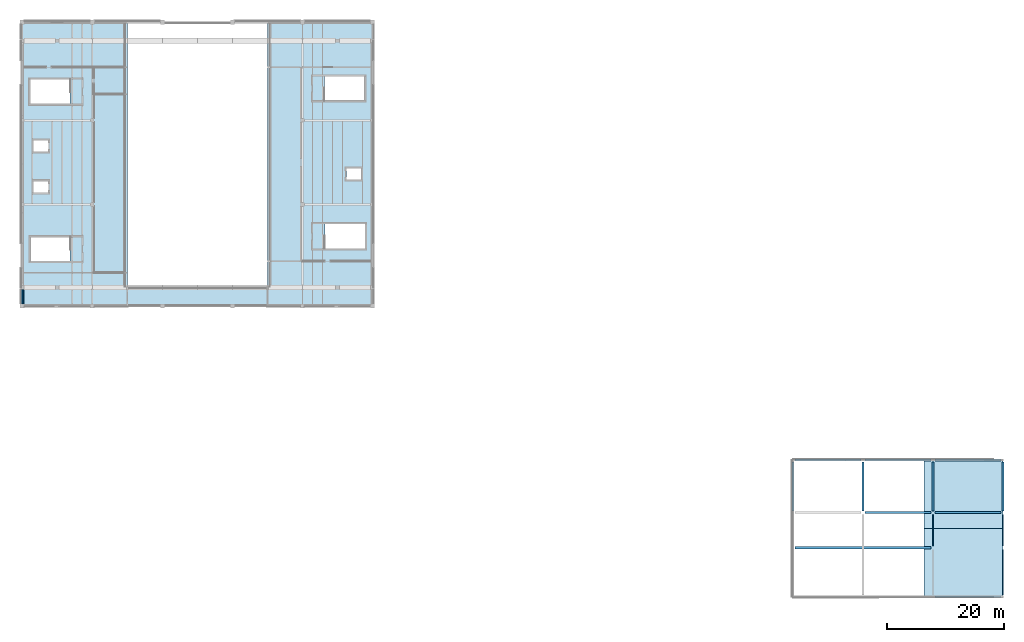
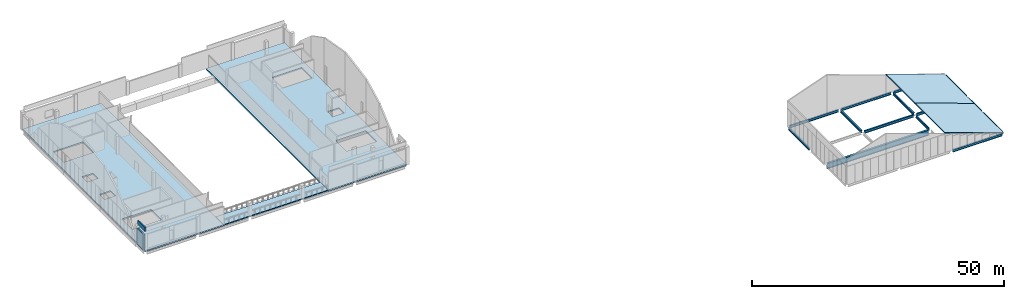
# One storey, part 2 of 7: 14 beams, 5 slabs, 2 walls.
"""IFC4 building model written with IfcOpenShell, lengths in metres."""

from ifc_helpers import new_model, si_unit, direction, frame, frame_2d, origin, origin_2d, place, context, subcontext, project, spatial, polyline, rectangle, i_section, outline, extrude, material, layer, layer_set, material_profile, profile_set, type_object, element, save


model = new_model("IFC4")

# Units and contexts
model_context = context("Model", 3, precision=1e-05, world=origin(), true_north=direction((0.0, 1.0)))
body_context = subcontext(model_context, "Body", "Model", "MODEL_VIEW")
ifc_project = project(units=[si_unit("LENGTHUNIT", "METRE"), si_unit("AREAUNIT", "SQUARE_METRE"), si_unit("VOLUMEUNIT", "CUBIC_METRE"), si_unit("PLANEANGLEUNIT", "RADIAN"), si_unit("MASSUNIT", "GRAM", prefix="KILO")], contexts=[model_context])

# Site, building, storey
site_placement = place(None, origin())
site = spatial("IfcSite", under=ifc_project, at=site_placement, CompositionType="ELEMENT")
building_placement = place(site_placement, origin())
building = spatial("IfcBuilding", under=site, at=building_placement, Name="Kelmvaro Bay Concert Hall", CompositionType="ELEMENT")
storey_placement = place(building_placement, frame((0.0, 0.0, 22.199951171875)))
storey = spatial("IfcBuildingStorey", under=building, at=storey_placement, Name="L05", CompositionType="ELEMENT", Elevation=22.199951171875)

# Beams
ifc_material_1 = material(Name="Steel ASTM A992 Grade 50", Category="steel")
ifc_material_profile_1 = material_profile(ifc_material_1, i_section(OverallWidth=0.323974609375, OverallDepth=0.611083984375, WebThickness=0.0126953125, FlangeThickness=0.01904296875, at=origin_2d()), Name="W24X104")
ifc_profile_set_1 = profile_set([ifc_material_profile_1], Name="Steel ASTM A992 Grade 50")
beam_type_1 = type_object("IfcBeamType", Name="Foyer Frame Girder W24x104", PredefinedType="BEAM", material=ifc_profile_set_1)
for number, where, z_axis, x_axis, name in (
    (1, (156.324951171875, 15.60009765625, -0.305419921875), (1.0, 0.0, 0.0), (0.0, 1.0, 0.0), "L05 Girder BM-L05-EW-1907"),
    (2, (144.324951171875, 30.0, -0.305419921875), (1.0, 0.0, 0.0), (0.0, 1.0, 0.0), "L05 Girder BM-L05-EW-1910"),
    (3, (156.324951171875, 30.0, -0.305419921875), (1.0, 0.0, 0.0), (0.0, 1.0, 0.0), "L05 Girder BM-L05-EW-1911"),
    (4, (132.324951171875, 39.0, -0.305419921875), (1.0, 0.0, 0.0), (0.0, 1.0, 0.0), "L05 Girder BM-L05-EW-1912"),
    (5, (144.324951171875, 39.0, -0.305419921875), (1.0, 0.0, 0.0), (0.0, 1.0, 0.0), "L05 Girder BM-L05-EW-1913"),
    (6, (156.324951171875, 39.0, -0.305419921875), (1.0, 0.0, 0.0), (0.0, 1.0, 0.0), "L05 Girder BM-L05-EW-1914"),
):
    element("IfcBeam", number, at=place(storey_placement, frame(where, z_axis=z_axis, x_axis=x_axis)), inside=storey, type_object=beam_type_1, Name=name, PredefinedType="BEAM", context=body_context, shape_type="SweptSolid", body=[
        extrude(i_section(OverallWidth=0.323974609375, OverallDepth=0.611083984375, WebThickness=0.0126953125, FlangeThickness=0.01904296875, at=origin_2d()), origin(), (0.0, 0.0, 1.0), 11.35009765625),
    ])
for number, where, z_axis, x_axis, name in (
    (7, (132.0, 30.324951171875, -0.305419921875), (0.0, 1.0, 0.0), (-1.0, 0.0, 0.0), "L05 Girder BM-L05-NS-1942"),
    (8, (144.0, 30.324951171875, -0.305419921875), (0.0, 1.0, 0.0), (-1.0, 0.0, 0.0), "L05 Girder BM-L05-NS-1944"),
    (9, (156.0, 30.324951171875, -0.305419921875), (0.0, 1.0, 0.0), (-1.0, 0.0, 0.0), "L05 Girder BM-L05-NS-1947"),
    (10, (168.0, 30.324951171875, -0.305419921875), (0.0, 1.0, 0.0), (-1.0, 0.0, 0.0), "L05 Girder BM-L05-NS-1950"),
):
    element("IfcBeam", number, at=place(storey_placement, frame(where, z_axis=z_axis, x_axis=x_axis)), inside=storey, type_object=beam_type_1, Name=name, PredefinedType="BEAM", context=body_context, shape_type="SweptSolid", body=[
        extrude(i_section(OverallWidth=0.323974609375, OverallDepth=0.611083984375, WebThickness=0.0126953125, FlangeThickness=0.01904296875, at=origin_2d()), origin(), (0.0, 0.0, 1.0), 8.35009765625),
    ])
ifc_material_2 = material(Name="Steel ASTM A992 Grade 50", Category="steel")
ifc_material_profile_2 = material_profile(ifc_material_2, i_section(OverallWidth=0.449951171875, OverallDepth=1.300048828125, WebThickness=0.01806640625, FlangeThickness=0.031982421875, at=origin_2d()), Name="PG1300X450")
ifc_profile_set_2 = profile_set([ifc_material_profile_2], Name="Steel ASTM A992 Grade 50")
beam_type_2 = type_object("IfcBeamType", Name="Long Span Transfer Girder PG1300x450", PredefinedType="BEAM", material=ifc_profile_set_2)
beam_1_placement = place(storey_placement, frame((132.324951171875, 24.0, -0.64990234375), z_axis=(1.0, 0.0, 0.0), x_axis=(0.0, 1.0, 0.0)))
element("IfcBeam", 11, at=beam_1_placement, inside=storey, type_object=beam_type_2, Name="L05 Girder BM-L05-EW-1908", PredefinedType="BEAM", context=body_context, shape_type="SweptSolid", body=[
    extrude(i_section(OverallWidth=0.449951171875, OverallDepth=1.300048828125, WebThickness=0.01806640625, FlangeThickness=0.031982421875, at=origin_2d()), origin(), (0.0, 0.0, 1.0), 23.35009765625),
])
ifc_material_3 = material(Name="Steel ASTM A992 Grade 50", Category="steel")
ifc_material_profile_3 = material_profile(ifc_material_3, i_section(OverallWidth=0.22900390625, OverallDepth=0.612060546875, WebThickness=0.011962890625, FlangeThickness=0.01953125, at=origin_2d()), Name="W24X84")
ifc_profile_set_3 = profile_set([ifc_material_profile_3], Name="Steel ASTM A992 Grade 50")
beam_type_3 = type_object("IfcBeamType", Name="Terrace Edge Girder W24x84", PredefinedType="BEAM", material=ifc_profile_set_3)
beam_2_placement = place(storey_placement, frame((156.0, 24.324951171875, -0.305908203125), z_axis=(0.0, 1.0, 0.0), x_axis=(-1.0, 0.0, 0.0)))
element("IfcBeam", 12, at=beam_2_placement, inside=storey, type_object=beam_type_3, Name="L05 Girder BM-L05-NS-1946", PredefinedType="BEAM", context=body_context, shape_type="SweptSolid", body=[
    extrude(i_section(OverallWidth=0.22900390625, OverallDepth=0.612060546875, WebThickness=0.011962890625, FlangeThickness=0.01953125, at=origin_2d()), origin(), (0.0, 0.0, 1.0), 5.35009765625),
])
beam_3_placement = place(storey_placement, frame((168.0, 15.925048828125, -0.305908203125), z_axis=(0.0, 1.0, 0.0), x_axis=(-1.0, 0.0, 0.0)))
element("IfcBeam", 13, at=beam_3_placement, inside=storey, type_object=beam_type_3, Name="L05 Girder BM-L05-NS-1948", PredefinedType="BEAM", context=body_context, shape_type="SweptSolid", body=[
    extrude(i_section(OverallWidth=0.22900390625, OverallDepth=0.612060546875, WebThickness=0.011962890625, FlangeThickness=0.01953125, at=origin_2d()), origin(), (0.0, 0.0, 1.0), 7.75),
])
beam_4_placement = place(storey_placement, frame((168.0, 24.324951171875, -0.305908203125), z_axis=(0.0, 1.0, 0.0), x_axis=(-1.0, 0.0, 0.0)))
element("IfcBeam", 14, at=beam_4_placement, inside=storey, type_object=beam_type_3, Name="L05 Girder BM-L05-NS-1949", PredefinedType="BEAM", context=body_context, shape_type="SweptSolid", body=[
    extrude(i_section(OverallWidth=0.22900390625, OverallDepth=0.612060546875, WebThickness=0.011962890625, FlangeThickness=0.01953125, at=origin_2d()), origin(), (0.0, 0.0, 1.0), 5.35009765625),
])

# Slabs
ifc_material_4 = material(Name="Concrete C40/50", Category="concrete")
ifc_layer_1 = layer(ifc_material_4, 0.340087890625)
ifc_layer_set_1 = layer_set([ifc_layer_1], Name="Concrete C40/50")
slab_type_1 = type_object("IfcSlabType", Name="Crown Plant Structural Slab 340", PredefinedType="FLOOR", material=ifc_layer_set_1)
slab_1_placement = place(storey_placement, frame((0.0, 0.0, -0.33984375)))
element("IfcSlab", 15, at=slab_1_placement, inside=storey, type_object=slab_type_1, Name="L05 Structural Slab V1-W", PredefinedType="FLOOR", context=body_context, shape_type="SweptSolid", body=[
    extrude(outline(polyline([(0.0, 65.39990234375), (18.0, 65.39990234375), (18.0, 114.0), (0.0, 114.0), (0.0, 65.39990234375)]), holes=[polyline([(1.45068359375, 73.090576171875), (8.219482421875, 73.090576171875), (8.219482421875, 77.199462890625), (1.45068359375, 77.199462890625), (1.45068359375, 73.090576171875)]), polyline([(1.3505859375, 100.010498046875), (8.179443359375, 100.010498046875), (8.179443359375, 104.199462890625), (1.3505859375, 104.199462890625), (1.3505859375, 100.010498046875)]), polyline([(1.925048828125, 84.800048828125), (4.47509765625, 84.800048828125), (4.47509765625, 86.800048828125), (1.925048828125, 86.800048828125), (1.925048828125, 84.800048828125)]), polyline([(1.925048828125, 91.800048828125), (4.47509765625, 91.800048828125), (4.47509765625, 93.800048828125), (1.925048828125, 93.800048828125), (1.925048828125, 91.800048828125)])]), origin(), (0.0, 0.0, 1.0), 0.33984375),
])
slab_2_placement = place(storey_placement, frame((0.0, 0.0, -0.33984375)))
element("IfcSlab", 16, at=slab_2_placement, inside=storey, type_object=slab_type_1, Name="L05 Structural Slab V1-E", PredefinedType="FLOOR", context=body_context, shape_type="SweptSolid", body=[
    extrude(outline(polyline([(42.0, 65.39990234375), (60.0, 65.39990234375), (60.0, 114.0), (42.0, 114.0), (42.0, 65.39990234375)]), holes=[polyline([(51.800537109375, 100.6005859375), (58.599365234375, 100.6005859375), (58.599365234375, 104.74951171875), (51.800537109375, 104.74951171875), (51.800537109375, 100.6005859375)]), polyline([(51.8505859375, 75.20068359375), (58.74951171875, 75.20068359375), (58.74951171875, 79.449462890625), (51.8505859375, 79.449462890625), (51.8505859375, 75.20068359375)]), polyline([(55.52490234375, 87.0), (58.074951171875, 87.0), (58.074951171875, 89.0), (55.52490234375, 89.0), (55.52490234375, 87.0)])]), origin(), (0.0, 0.0, 1.0), 0.33984375),
])
ifc_material_5 = material(Name="Concrete C40/50", Category="concrete")
ifc_layer_2 = layer(ifc_material_5, 0.2099609375)
ifc_layer_set_2 = layer_set([ifc_layer_2], Name="Concrete C40/50")
slab_type_2 = type_object("IfcSlabType", Name="Crystal Sloped Concrete Roof Slab 210", PredefinedType="ROOF", material=ifc_layer_set_2)
for number, where, z_axis, x_axis, name in (
    (17, (154.5, 15.60009765625, 4.78076171875), (0.333816847756, 0.0, 0.942637953912), (0.942637953912, 0.0, -0.333816847756), "V4 Asymmetric Crystal Roof Lower East 1"),
    (18, (154.5, 27.300048828125, 4.78076171875), (0.333816847756, 0.0, 0.942637953912), (0.942637953912, 0.0, -0.333816847756), "V4 Asymmetric Crystal Roof Lower East 2"),
):
    element("IfcSlab", number, at=place(storey_placement, frame(where, z_axis=z_axis, x_axis=x_axis)), inside=storey, type_object=slab_type_2, Name=name, PredefinedType="ROOF", context=body_context, shape_type="SweptSolid", body=[
        extrude(outline(polyline([(0.0, 0.0), (14.321511184629417, 0.0), (14.321511184629417, 11.699951171875002), (0.0, 11.699951171875002), (0.0, 0.0)])), origin(), (0.0, 0.0, -1.0), 0.2099609375),
    ])
ifc_material_6 = material(Name="Concrete C40/50", Category="concrete")
ifc_layer_3 = layer(ifc_material_6, 0.239990234375)
ifc_layer_set_3 = layer_set([ifc_layer_3], Name="Concrete C40/50")
slab_type_3 = type_object("IfcSlabType", Name="Waterfront Terrace Deck Slab 240", PredefinedType="FLOOR", material=ifc_layer_set_3)
slab_3_placement = place(storey_placement, frame((0.0, 0.0, -0.239990234375)))
element("IfcSlab", 19, at=slab_3_placement, inside=storey, type_object=slab_type_3, Name="L05 Terrace Slab TER-V1", PredefinedType="FLOOR", context=body_context, shape_type="SweptSolid", body=[
    extrude(outline(polyline([(18.0, 65.39990234375), (42.0, 65.39990234375), (42.0, 68.580078125), (18.0, 68.580078125), (18.0, 65.39990234375)])), origin(), (0.0, 0.0, 1.0), 0.239990234375),
])

# Walls
ifc_material_7 = material(Name="Precast Concrete C40/50", Category="concrete")
ifc_layer_4 = layer(ifc_material_7, 0.22998046875)
ifc_layer_set_4 = layer_set([ifc_layer_4], Name="Precast Concrete C40/50")
wall_type_1 = type_object("IfcWallType", Name="Hurricane Roof Parapet Wall 230", PredefinedType="PARAPET", material=ifc_layer_set_4)
wall_1_placement = place(storey_placement, frame((0.14990234375, 65.550048828125, 4.56005859375), z_axis=(0.0, 0.0, 1.0), x_axis=(0.0, 1.0, 0.0)))
element("IfcWall", 20, at=wall_1_placement, inside=storey, type_object=wall_type_1, Name="L05 Roof Parapet 02", PredefinedType="PARAPET", context=body_context, shape_type="SweptSolid", body=[
    extrude(rectangle(XDim=2.89990234375, YDim=0.22998046875, at=frame_2d((1.449951171875, 0.0))), origin(), (0.0, 0.0, 1.0), 0.93994140625),
])
ifc_material_8 = material(Name="Precast Concrete C40/50", Category="concrete")
ifc_layer_5 = layer(ifc_material_8, 0.360107421875)
ifc_layer_set_5 = layer_set([ifc_layer_5], Name="Precast Concrete C40/50")
wall_type_2 = type_object("IfcWallType", Name="Travertine Acoustic Precast Wall 360", PredefinedType="SOLIDWALL", material=ifc_layer_set_5)
wall_2_placement = place(storey_placement, frame((0.0, 65.77490234375, 0.0), z_axis=(0.0, 0.0, 1.0), x_axis=(0.0, 1.0, 0.0)))
element("IfcWall", 21, at=wall_2_placement, inside=storey, type_object=wall_type_2, Name="L05 Exterior Wall EW-L05-0091", PredefinedType="SOLIDWALL", context=body_context, shape_type="SweptSolid", body=[
    extrude(rectangle(XDim=2.47998046875, YDim=0.360107421875, at=frame_2d((1.239990234375, 0.0))), origin(), (0.0, 0.0, 1.0), 3.738037109375),
])

save(model, "model.ifc")
